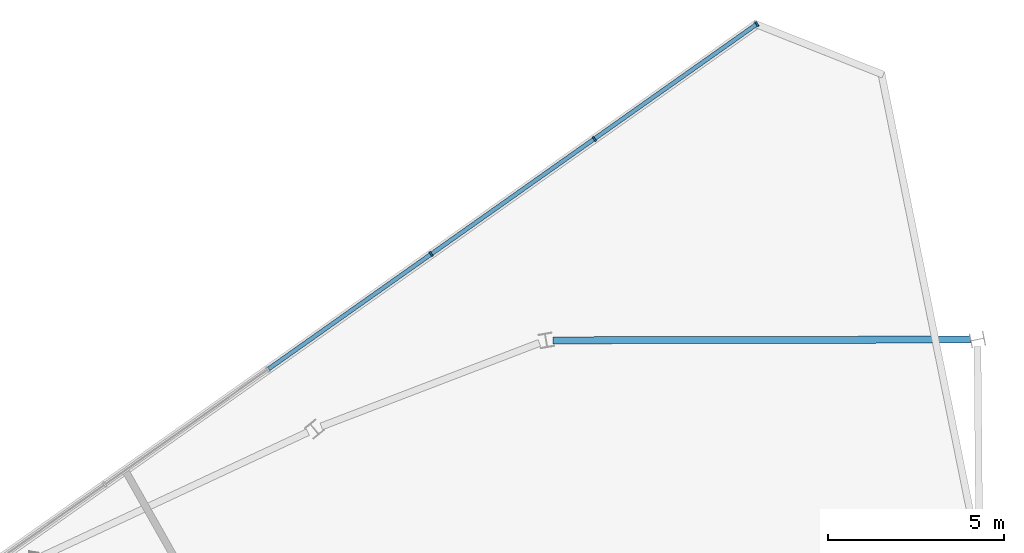
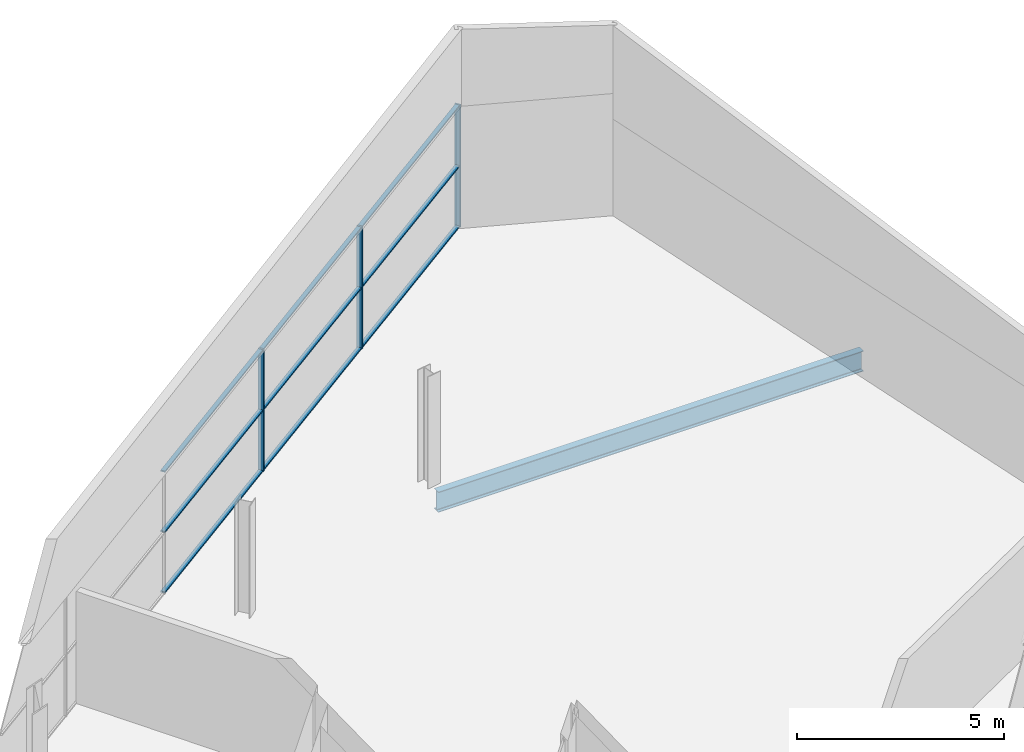
# One storey, part 7 of 10: 12 members, 1 beam, 1 element without a shape of its own.
"""IFC4 building model written with IfcOpenShell, lengths in metres."""

from ifc_helpers import new_model, si_unit, direction, frame, origin, origin_2d, place, context, subcontext, project, spatial, rectangle, i_section, extrude, material, material_profile, profile_set, type_object, element, aggregate, save


model = new_model("IFC4")

# Units and contexts
model_context = context("Model", 3, precision=1e-05, world=origin(), true_north=direction((0.0, 1.0)))
body_context = subcontext(model_context, "Body", "Model", "MODEL_VIEW")
ifc_project = project(units=[si_unit("LENGTHUNIT", "METRE"), si_unit("AREAUNIT", "SQUARE_METRE"), si_unit("VOLUMEUNIT", "CUBIC_METRE"), si_unit("PLANEANGLEUNIT", "RADIAN"), si_unit("MASSUNIT", "GRAM", prefix="KILO")], contexts=[model_context])

# Site, building, storey
site_placement = place(None, origin())
site = spatial("IfcSite", under=ifc_project, at=site_placement, CompositionType="ELEMENT")
building_placement = place(site_placement, origin())
building = spatial("IfcBuilding", under=site, at=building_placement, Name="Binnacle Exchange Tower", CompositionType="ELEMENT")
storey_placement = place(building_placement, frame((0.0, 0.0, 368.5)))
storey = spatial("IfcBuildingStorey", under=building, at=storey_placement, Name="L85", CompositionType="ELEMENT", Elevation=368.5)

# Curtain wall, members
ifc_material_1 = material(Name="Bronze anodised aluminium frame", Category="aluminium")
curtain_wall_type = type_object("IfcCurtainWallType", Name="External wall - curtain wall crown top", PredefinedType="NOTDEFINED", material=ifc_material_1)
curtain_wall_placement = place(storey_placement, origin())
curtain_wall = element("IfcCurtainWall", 1, at=curtain_wall_placement, inside=storey, type_object=curtain_wall_type, Name="External wall curtain wall CW6-C303 L85", PredefinedType="NOTDEFINED")
ifc_material_profile_1 = material_profile(ifc_material_1, rectangle(XDim=0.14990234375, YDim=0.050048828125, at=origin_2d()), Name="AL 50x150")
ifc_profile_set_1 = profile_set([ifc_material_profile_1], Name="Bronze anodised aluminium frame")
member_type_1 = type_object("IfcMemberType", Name="CW6 MULLION 50x150", PredefinedType="MULLION", material=ifc_profile_set_1)
member_1_placement = place(storey_placement, frame((-17.152587890625, 68.55322265625, 0.0), z_axis=(0.0, 0.0, 1.0), x_axis=(0.576854127285, -0.816847180221, 0.0)))
member_1 = element("IfcMember", 2, at=member_1_placement, type_object=member_type_1, Name="CW6-C303 mullion 1", PredefinedType="MULLION", context=body_context, shape_type="SweptSolid", body=[
    extrude(rectangle(XDim=0.14990234375, YDim=0.050048828125, at=origin_2d()), origin(), (0.0, 0.0, 1.0), 3.60009765625),
])
member_2_placement = place(storey_placement, frame((-21.771728515625, 65.291259765625, 0.0), z_axis=(0.0, 0.0, 1.0), x_axis=(0.576854127285, -0.816847180221, 0.0)))
member_2 = element("IfcMember", 3, at=member_2_placement, type_object=member_type_1, Name="CW6-C303 mullion 2", PredefinedType="MULLION", context=body_context, shape_type="SweptSolid", body=[
    extrude(rectangle(XDim=0.14990234375, YDim=0.050048828125, at=origin_2d()), origin(), (0.0, 0.0, 1.0), 3.60009765625),
])
member_3_placement = place(storey_placement, frame((-26.411376953125, 62.014892578125, 0.0), z_axis=(0.0, 0.0, 1.0), x_axis=(0.576854127285, -0.816847180221, 0.0)))
member_3 = element("IfcMember", 4, at=member_3_placement, type_object=member_type_1, Name="CW6-C303 mullion 3", PredefinedType="MULLION", context=body_context, shape_type="SweptSolid", body=[
    extrude(rectangle(XDim=0.14990234375, YDim=0.050048828125, at=origin_2d()), origin(), (0.0, 0.0, 1.0), 3.60009765625),
])
ifc_material_profile_2 = material_profile(ifc_material_1, rectangle(XDim=0.1201171875, YDim=0.0400390625, at=origin_2d()), Name="AL 120x40")
ifc_profile_set_2 = profile_set([ifc_material_profile_2], Name="Bronze anodised aluminium frame")
member_type_2 = type_object("IfcMemberType", Name="CW6 TRANSOM 40x120", PredefinedType="USERDEFINED", material=ifc_profile_set_2)
member_4_placement = place(storey_placement, frame((-17.173095703125, 68.538818359375, 0.02001953125), z_axis=(-0.816853166447, -0.57684565047, 0.0), x_axis=(0.57684565047, -0.816853166447, 0.0)))
member_4 = element("IfcMember", 5, at=member_4_placement, type_object=member_type_2, Name="CW6-C303 transom 1.1", ObjectType="TRANSOM", PredefinedType="USERDEFINED", context=body_context, shape_type="SweptSolid", body=[
    extrude(rectangle(XDim=0.1201171875, YDim=0.0400390625, at=origin_2d()), origin(), (0.0, 0.0, 1.0), 5.60498046875),
])
member_5_placement = place(storey_placement, frame((-17.173095703125, 68.538818359375, 1.800048828125), z_axis=(-0.816853166447, -0.57684565047, 0.0), x_axis=(0.57684565047, -0.816853166447, 0.0)))
member_5 = element("IfcMember", 6, at=member_5_placement, type_object=member_type_2, Name="CW6-C303 transom 1.2", ObjectType="TRANSOM", PredefinedType="USERDEFINED", context=body_context, shape_type="SweptSolid", body=[
    extrude(rectangle(XDim=0.1201171875, YDim=0.0400390625, at=origin_2d()), origin(), (0.0, 0.0, 1.0), 5.60498046875),
])
member_6_placement = place(storey_placement, frame((-17.173095703125, 68.538818359375, 3.580078125), z_axis=(-0.816853166447, -0.57684565047, 0.0), x_axis=(0.57684565047, -0.816853166447, 0.0)))
member_6 = element("IfcMember", 7, at=member_6_placement, type_object=member_type_2, Name="CW6-C303 transom 1.3", ObjectType="TRANSOM", PredefinedType="USERDEFINED", context=body_context, shape_type="SweptSolid", body=[
    extrude(rectangle(XDim=0.1201171875, YDim=0.0400390625, at=origin_2d()), origin(), (0.0, 0.0, 1.0), 5.60498046875),
])
member_7_placement = place(storey_placement, frame((-21.792236328125, 65.27685546875, 0.02001953125), z_axis=(-0.816845257746, -0.576856849572, 0.0), x_axis=(0.576856849572, -0.816845257746, 0.0)))
member_7 = element("IfcMember", 8, at=member_7_placement, type_object=member_type_2, Name="CW6-C303 transom 2.1", ObjectType="TRANSOM", PredefinedType="USERDEFINED", context=body_context, shape_type="SweptSolid", body=[
    extrude(rectangle(XDim=0.1201171875, YDim=0.0400390625, at=origin_2d()), origin(), (0.0, 0.0, 1.0), 5.629638671875),
])
member_8_placement = place(storey_placement, frame((-21.792236328125, 65.27685546875, 1.800048828125), z_axis=(-0.816845257746, -0.576856849572, 0.0), x_axis=(0.576856849572, -0.816845257746, 0.0)))
member_8 = element("IfcMember", 9, at=member_8_placement, type_object=member_type_2, Name="CW6-C303 transom 2.2", ObjectType="TRANSOM", PredefinedType="USERDEFINED", context=body_context, shape_type="SweptSolid", body=[
    extrude(rectangle(XDim=0.1201171875, YDim=0.0400390625, at=origin_2d()), origin(), (0.0, 0.0, 1.0), 5.629638671875),
])
member_9_placement = place(storey_placement, frame((-21.792236328125, 65.27685546875, 3.580078125), z_axis=(-0.816845257746, -0.576856849572, 0.0), x_axis=(0.576856849572, -0.816845257746, 0.0)))
member_9 = element("IfcMember", 10, at=member_9_placement, type_object=member_type_2, Name="CW6-C303 transom 2.3", ObjectType="TRANSOM", PredefinedType="USERDEFINED", context=body_context, shape_type="SweptSolid", body=[
    extrude(rectangle(XDim=0.1201171875, YDim=0.0400390625, at=origin_2d()), origin(), (0.0, 0.0, 1.0), 5.629638671875),
])
member_10_placement = place(storey_placement, frame((-26.431640625, 62.00048828125, 0.02001953125), z_axis=(-0.816859687673, -0.576836415853, 0.0), x_axis=(0.576836415853, -0.816859687673, 0.0)))
member_10 = element("IfcMember", 11, at=member_10_placement, type_object=member_type_2, Name="CW6-C303 transom 3.1", ObjectType="TRANSOM", PredefinedType="USERDEFINED", context=body_context, shape_type="SweptSolid", body=[
    extrude(rectangle(XDim=0.1201171875, YDim=0.0400390625, at=origin_2d()), origin(), (0.0, 0.0, 1.0), 5.6298828125),
])
member_11_placement = place(storey_placement, frame((-26.431640625, 62.00048828125, 1.800048828125), z_axis=(-0.816859687673, -0.576836415853, 0.0), x_axis=(0.576836415853, -0.816859687673, 0.0)))
member_11 = element("IfcMember", 12, at=member_11_placement, type_object=member_type_2, Name="CW6-C303 transom 3.2", ObjectType="TRANSOM", PredefinedType="USERDEFINED", context=body_context, shape_type="SweptSolid", body=[
    extrude(rectangle(XDim=0.1201171875, YDim=0.0400390625, at=origin_2d()), origin(), (0.0, 0.0, 1.0), 5.6298828125),
])
member_12_placement = place(storey_placement, frame((-26.431640625, 62.00048828125, 3.580078125), z_axis=(-0.816859687673, -0.576836415853, 0.0), x_axis=(0.576836415853, -0.816859687673, 0.0)))
member_12 = element("IfcMember", 13, at=member_12_placement, type_object=member_type_2, Name="CW6-C303 transom 3.3", ObjectType="TRANSOM", PredefinedType="USERDEFINED", context=body_context, shape_type="SweptSolid", body=[
    extrude(rectangle(XDim=0.1201171875, YDim=0.0400390625, at=origin_2d()), origin(), (0.0, 0.0, 1.0), 5.6298828125),
])
aggregate(curtain_wall, [member_1, member_2, member_3, member_4, member_5, member_6, member_7, member_8, member_9, member_10, member_11, member_12])

# Beam
ifc_material_2 = material(Name="Steel S355 (SHN355)", Category="steel")
ifc_material_profile_3 = material_profile(ifc_material_2, i_section(OverallWidth=0.199951171875, OverallDepth=0.60009765625, WebThickness=0.010986328125, FlangeThickness=0.01708984375, FilletRadius=0.02197265625, at=origin_2d()), Name="H 600x200x11x17")
ifc_profile_set_3 = profile_set([ifc_material_profile_3], Name="Steel S355 (SHN355)")
beam_type = type_object("IfcBeamType", Name="Spine girder H 600x200x11x17 Steel S355 (SHN355)", PredefinedType="BEAM", material=ifc_profile_set_3)
beam_placement = place(storey_placement, frame((-22.942626953125, 59.56396484375, -0.60009765625), z_axis=(0.999998205615, 0.001894403981, 0.0), x_axis=(-0.001894403981, 0.999998205615, 0.0)))
element("IfcBeam", 14, at=beam_placement, inside=storey, type_object=beam_type, Name="S:BM:spine:L85:003", PredefinedType="BEAM", context=body_context, shape_type="SweptSolid", body=[
    extrude(i_section(OverallWidth=0.199951171875, OverallDepth=0.60009765625, WebThickness=0.010986328125, FlangeThickness=0.01708984375, FilletRadius=0.02197265625, at=origin_2d()), origin(), (0.0, 0.0, 1.0), 11.8564453125),
])

save(model, "model.ifc")
